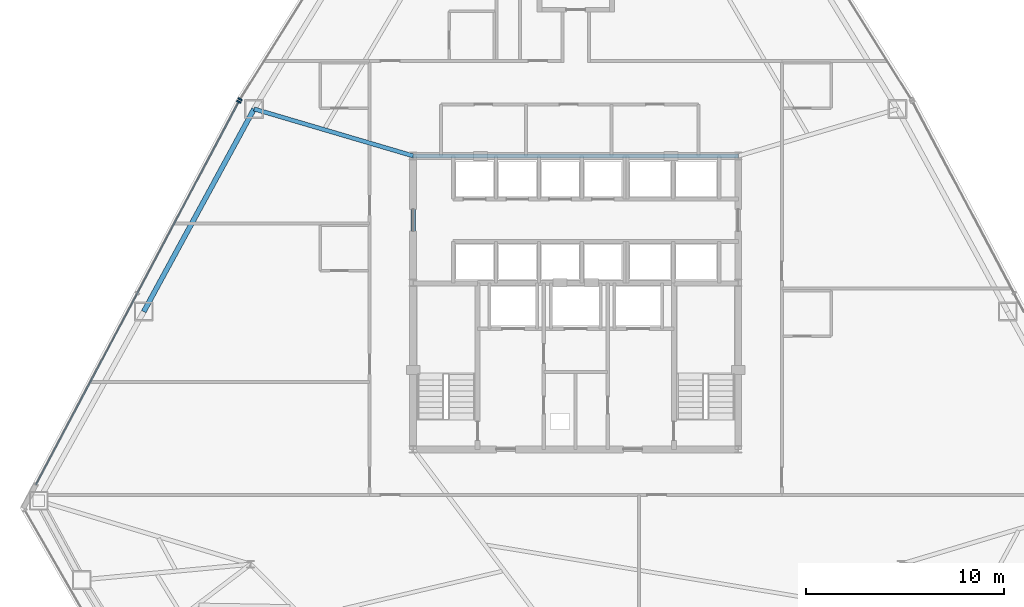
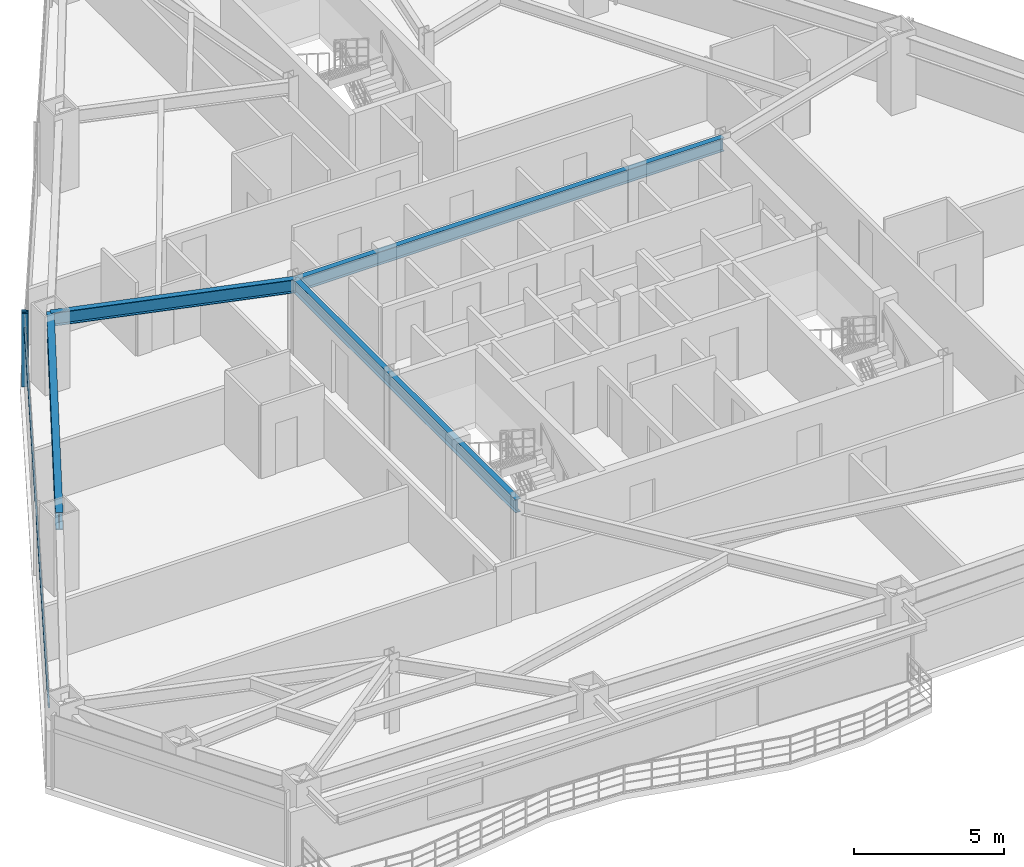
# One storey, part 5 of 13: 4 beams, 3 members, 2 elements without a shape of their own.
"""IFC4 building model written with IfcOpenShell, lengths in metres."""

import ifcopenshell
import ifcopenshell.guid

model = None  # the IFC model being written
_history = None  # IfcOwnerHistory: only IFC2X3 demands one
_inside = {}  # id of a spatial element -> (the spatial element, [elements in it])
_under = {}  # id of a project, library or spatial element -> (it, [spatial elements below it])
_declared = {}  # id of a project -> (the project, [libraries it declares])
_typed = {}  # id of a type object -> (the type object, [elements of that type])
_made_of = {}  # id of a material, layer set ... -> (it, [elements and type objects made of it])


def new_model(schema):
    """Start an empty IFC model of exactly this schema.

    Asked for "IFC4X3", IfcOpenShell would pick the latest addendum, in which some entities
    have other attributes; the version numbers below select the first issue.
    IFC2X3 requires an IfcOwnerHistory on every rooted entity: one is made here for all.
    """
    global model, _history
    if schema == "IFC4X3":
        model = ifcopenshell.file(schema_version=(4, 3, 0, 0))
    else:
        model = ifcopenshell.file(schema=schema)
    _inside.clear()
    _under.clear()
    _declared.clear()
    _typed.clear()
    _made_of.clear()
    _history = None
    if model.schema == "IFC2X3":
        org = make("IfcOrganization", Name="unknown")
        user = make(
            "IfcPersonAndOrganization",
            ThePerson=make("IfcPerson", FamilyName="unknown"),
            TheOrganization=org,
        )
        app = make(
            "IfcApplication",
            ApplicationDeveloper=org,
            Version="unknown",
            ApplicationFullName="unknown",
            ApplicationIdentifier="unknown",
        )
        _history = make(
            "IfcOwnerHistory",
            OwningUser=user,
            OwningApplication=app,
            ChangeAction="ADDED",
            CreationDate=0,
        )
    return model


def make(cls, **values):
    """One entity of the class cls with the attributes given. An attribute that is None is left unset."""
    return model.create_entity(
        cls, **{name: value for name, value in values.items() if value is not None}
    )


def rooted(cls, **values):
    """An entity with a GlobalId (a new one), such as an element, a storey or a relation."""
    return make(cls, GlobalId=ifcopenshell.guid.new(), OwnerHistory=_history, **values)


def si_unit(unit_type, name, prefix=None):
    """IfcSIUnit, for example si_unit("LENGTHUNIT", "METRE", prefix="MILLI")."""
    return make("IfcSIUnit", UnitType=unit_type, Prefix=prefix, Name=name)


def assignment(units):
    """IfcUnitAssignment: the units of a project."""
    return None if units is None else make("IfcUnitAssignment", Units=units)


def point(xyz):
    """IfcCartesianPoint."""
    return None if xyz is None else make("IfcCartesianPoint", Coordinates=xyz)


def direction(xyz):
    """IfcDirection."""
    return None if xyz is None else make("IfcDirection", DirectionRatios=xyz)


def frame(location, z_axis=None, x_axis=None):
    """IfcAxis2Placement3D, a coordinate frame: its origin and axes. An axis left out is left unset."""
    return make(
        "IfcAxis2Placement3D",
        Location=point(location),
        Axis=direction(z_axis),
        RefDirection=direction(x_axis),
    )


def frame_2d(location, x_axis=None):
    """IfcAxis2Placement2D, a coordinate frame in the plane: its origin and x axis."""
    return make(
        "IfcAxis2Placement2D", Location=point(location), RefDirection=direction(x_axis)
    )


def origin():
    """The frame at (0, 0, 0) with its axes left unset."""
    return frame((0.0, 0.0, 0.0))


def origin_2d():
    """The frame at (0, 0) in the plane with its x axis left unset."""
    return frame_2d((0.0, 0.0))


def place(relative_to, where):
    """IfcLocalPlacement: puts the frame where relative to a parent placement (None: the world)."""
    return make(
        "IfcLocalPlacement", PlacementRelTo=relative_to, RelativePlacement=where
    )


def context(
    kind, dimensions, precision=None, world=None, true_north=None, identifier=None
):
    """IfcGeometricRepresentationContext, for example the 3D "Model" context."""
    return make(
        "IfcGeometricRepresentationContext",
        ContextIdentifier=identifier,
        ContextType=kind,
        CoordinateSpaceDimension=dimensions,
        Precision=precision,
        WorldCoordinateSystem=world,
        TrueNorth=true_north,
    )


def subcontext(parent, identifier, kind, view, scale=None):
    """IfcGeometricRepresentationSubContext, for example "Body" below "Model"."""
    return make(
        "IfcGeometricRepresentationSubContext",
        ContextIdentifier=identifier,
        ContextType=kind,
        ParentContext=parent,
        TargetScale=scale,
        TargetView=view,
    )


def project(units=None, contexts=None):
    """IfcProject with its units and contexts."""
    return rooted(
        "IfcProject",
        Name="project",
        RepresentationContexts=contexts,
        UnitsInContext=assignment(units),
    )


def spatial(cls, under=None, at=None, **own):
    """A site, building, storey or space (cls), placed at a placement, below another one or the project."""
    s = rooted(cls, ObjectPlacement=at, **own)
    if under is not None:
        _under.setdefault(under.id(), (under, []))[1].append(s)
    return s


def profile(cls, at=None, kind="AREA", **sizes):
    """A parametric profile (cls). Its sizes go by their IFC names, for example OverallWidth=200.0."""
    return make(cls, ProfileType=kind, Position=at, **sizes)


def rectangle(**sizes):
    """IfcRectangleProfileDef."""
    return profile("IfcRectangleProfileDef", **sizes)


def i_section(**sizes):
    """IfcIShapeProfileDef."""
    return profile("IfcIShapeProfileDef", **sizes)


def extrude(swept, where, along, depth):
    """IfcExtrudedAreaSolid: the profile swept, set in the frame where, extruded along a direction by depth."""
    return make(
        "IfcExtrudedAreaSolid",
        SweptArea=swept,
        Position=where,
        ExtrudedDirection=direction(along),
        Depth=depth,
    )


def shape(context_of_items, identifier, shape_type, items):
    """IfcShapeRepresentation: the items that make up one representation, for example the "Body"."""
    return make(
        "IfcShapeRepresentation",
        ContextOfItems=context_of_items,
        RepresentationIdentifier=identifier,
        RepresentationType=shape_type,
        Items=items,
    )


def source(mapping_origin, context_of_items, identifier, shape_type, items):
    """IfcRepresentationMap: a shape defined once, which mapped items show again and again."""
    return make(
        "IfcRepresentationMap",
        MappingOrigin=mapping_origin,
        MappedRepresentation=shape(context_of_items, identifier, shape_type, items),
    )


def transform(
    local_origin,
    x_axis=None,
    y_axis=None,
    z_axis=None,
    scale=None,
    scale2=None,
    scale3=None,
    uniform=True,
):
    """IfcCartesianTransformationOperator3D, or its non-uniform kind. x_axis, y_axis, z_axis: its Axis1, 2, 3."""
    if uniform:
        return make(
            "IfcCartesianTransformationOperator3D",
            Axis1=direction(x_axis),
            Axis2=direction(y_axis),
            LocalOrigin=point(local_origin),
            Scale=scale,
            Axis3=direction(z_axis),
        )
    return make(
        "IfcCartesianTransformationOperator3DnonUniform",
        Axis1=direction(x_axis),
        Axis2=direction(y_axis),
        LocalOrigin=point(local_origin),
        Scale=scale,
        Axis3=direction(z_axis),
        Scale2=scale2,
        Scale3=scale3,
    )


def mapped(mapping_source, mapping_target):
    """IfcMappedItem: shows the shape of a source again, moved by a transform."""
    return make(
        "IfcMappedItem", MappingSource=mapping_source, MappingTarget=mapping_target
    )


def material(Name=None, Category=None):
    """IfcMaterial."""
    return make("IfcMaterial", Name=Name, Category=Category)


def layer(
    of_material, thickness, ventilated=None, Name=None, Category=None, Priority=None
):
    """IfcMaterialLayer: one layer of a wall or slab, of a material (None: an air gap)."""
    return make(
        "IfcMaterialLayer",
        Material=of_material,
        LayerThickness=thickness,
        IsVentilated=ventilated,
        Name=Name,
        Category=Category,
        Priority=Priority,
    )


def layer_set(layers, Name=None):
    """IfcMaterialLayerSet."""
    return make("IfcMaterialLayerSet", MaterialLayers=layers, LayerSetName=Name)


def material_profile(
    of_material, cross_section, Name=None, Category=None, Priority=None
):
    """IfcMaterialProfile: a cross section and its material."""
    return make(
        "IfcMaterialProfile",
        Name=Name,
        Material=of_material,
        Profile=cross_section,
        Priority=Priority,
        Category=Category,
    )


def profile_set(profiles, Name=None, composite=None):
    """IfcMaterialProfileSet."""
    return make(
        "IfcMaterialProfileSet",
        Name=Name,
        MaterialProfiles=profiles,
        CompositeProfile=composite,
    )


def made_of(thing, what):
    """Note that an element or type object is made of a material, layer set ...; save() writes the relation."""
    if what is not None:
        _made_of.setdefault(what.id(), (what, []))[1].append(thing)
    return thing


def type_object(cls, material=None, **own):
    """A type object (cls), such as IfcWallType, which elements share."""
    return made_of(rooted(cls, **own), material)


def type_shapes(of_type, sources):
    """Give a type object the sources (RepresentationMaps) that its elements show as mapped items."""
    of_type.RepresentationMaps = sources


def element(
    cls,
    number,
    at=None,
    inside=None,
    cuts=None,
    type_object=None,
    material=None,
    context=None,
    identifier="Body",
    shape_type=None,
    held_by="IfcProductDefinitionShape",
    body=None,
    shapes=None,
    **own,
):
    """One element of the class cls, such as IfcWall. Its Tag is "e" and its number.

    at: its placement. inside: the storey or other place that contains it. cuts: it is an
    opening in that element (IfcRelVoidsElement). A single representation is given by context,
    identifier, shape_type and body (its items); several are given by shapes. held_by: the class
    of the entity that holds the representations. save() writes the other relations.
    """
    e = rooted(cls, Tag="e%d" % number, ObjectPlacement=at, **own)
    if body is not None:
        shapes = [shape(context, identifier, shape_type, body)]
    if shapes is not None:
        e.Representation = make(held_by, Representations=shapes)
    if inside is not None:
        _inside.setdefault(inside.id(), (inside, []))[1].append(e)
    if cuts is not None:
        rooted(
            "IfcRelVoidsElement", RelatingBuildingElement=cuts, RelatedOpeningElement=e
        )
    if type_object is not None:
        _typed.setdefault(type_object.id(), (type_object, []))[1].append(e)
    return made_of(e, material)


def aggregate(whole, parts):
    """IfcRelAggregates: a whole, such as a stair, and the parts it consists of."""
    return rooted("IfcRelAggregates", RelatingObject=whole, RelatedObjects=parts)


def save(model, path):
    """Write the relations noted so far, then the file.

    IfcRelAggregates (storeys below a building ...), IfcRelContainedInSpatialStructure (elements
    in a storey), IfcRelDefinesByType, IfcRelAssociatesMaterial and IfcRelDeclares: one each for
    every whole, place, type object, material and project.
    """
    for whole, parts in _under.values():
        aggregate(whole, parts)
    for where, things in _inside.values():
        rooted(
            "IfcRelContainedInSpatialStructure",
            RelatedElements=things,
            RelatingStructure=where,
        )
    for kind, things in _typed.values():
        rooted("IfcRelDefinesByType", RelatedObjects=things, RelatingType=kind)
    for what, things in _made_of.values():
        rooted("IfcRelAssociatesMaterial", RelatedObjects=things, RelatingMaterial=what)
    for by, libraries in _declared.values():
        rooted("IfcRelDeclares", RelatingContext=by, RelatedDefinitions=libraries)
    model.write(path)


model = new_model("IFC4")

# Units and contexts
model_context = context("Model", 3, precision=1e-05, world=origin(), true_north=direction((0.0, 1.0)))
body_context = subcontext(model_context, "Body", "Model", "MODEL_VIEW")
ifc_project = project(units=[si_unit("LENGTHUNIT", "METRE"), si_unit("AREAUNIT", "SQUARE_METRE"), si_unit("VOLUMEUNIT", "CUBIC_METRE"), si_unit("PLANEANGLEUNIT", "RADIAN"), si_unit("MASSUNIT", "GRAM", prefix="KILO")], contexts=[model_context])

# Site, building, storey
site_placement = place(None, origin())
site = spatial("IfcSite", under=ifc_project, at=site_placement, CompositionType="ELEMENT")
building_placement = place(site_placement, origin())
building = spatial("IfcBuilding", under=site, at=building_placement, Name="Varakhsha Concourse Tower", CompositionType="ELEMENT")
storey_placement = place(building_placement, frame((0.0, 0.0, 95.800048828125)))
storey = spatial("IfcBuildingStorey", under=building, at=storey_placement, Name="L27", CompositionType="ELEMENT", Elevation=95.800048828125)

# Beams
ifc_material_1 = material(Name="Structural Steel ASTM A992 Grade 50", Category="steel")
ifc_material_profile_1 = material_profile(ifc_material_1, i_section(OverallWidth=0.2109375, OverallDepth=0.5390625, WebThickness=0.011962890625, FlangeThickness=0.01904296875, at=origin_2d()), Name="W21X73")
ifc_profile_set_1 = profile_set([ifc_material_profile_1], Name="Structural Steel ASTM A992 Grade 50")
beam_type_1 = type_object("IfcBeamType", Name="BM-RAD-W21X73", PredefinedType="BEAM", material=ifc_profile_set_1)
beam_1_placement = place(storey_placement, frame((31.800048828125, 31.199951171875, 2.700439453125), z_axis=(1.0, 0.0, 0.0), x_axis=(0.0, 1.0, 0.0)))
element("IfcBeam", 1, at=beam_1_placement, inside=storey, type_object=beam_type_1, Name="BM-TCORE-L27-CN", PredefinedType="BEAM", context=body_context, shape_type="SweptSolid", body=[
    extrude(i_section(OverallWidth=0.2109375, OverallDepth=0.5390625, WebThickness=0.011962890625, FlangeThickness=0.01904296875, at=origin_2d()), origin(), (0.0, 0.0, 1.0), 16.39990234375),
])
beam_2_placement = place(storey_placement, frame((31.800048828125, 16.39990234375, 2.700439453125), z_axis=(0.0, 1.0, 0.0), x_axis=(-1.0, 0.0, 0.0)))
element("IfcBeam", 2, at=beam_2_placement, inside=storey, type_object=beam_type_1, Name="BM-TCORE-L27-CW", PredefinedType="BEAM", context=body_context, shape_type="SweptSolid", body=[
    extrude(i_section(OverallWidth=0.2109375, OverallDepth=0.5390625, WebThickness=0.011962890625, FlangeThickness=0.01904296875, at=origin_2d()), origin(), (0.0, 0.0, 1.0), 14.800048828125),
])
beam_3_placement = place(storey_placement, frame((31.800048828125, 31.199951171875, 2.700439453125), z_axis=(-0.959108264711, 0.283039461143, 0.0), x_axis=(-0.283039461143, -0.959108264711, 0.0)))
element("IfcBeam", 3, at=beam_3_placement, inside=storey, type_object=beam_type_1, Name="L27 Radial Floor Girder 05", PredefinedType="BEAM", context=body_context, shape_type="SweptSolid", body=[
    extrude(i_section(OverallWidth=0.2109375, OverallDepth=0.5390625, WebThickness=0.011962890625, FlangeThickness=0.01904296875, at=origin_2d()), origin(), (0.0, 0.0, 1.0), 8.370361328125),
])
ifc_material_profile_2 = material_profile(ifc_material_1, i_section(OverallWidth=0.25390625, OverallDepth=0.701904296875, WebThickness=0.014892578125, FlangeThickness=0.028076171875, at=origin_2d()), Name="W27X129")
ifc_profile_set_2 = profile_set([ifc_material_profile_2], Name="Structural Steel ASTM A992 Grade 50")
beam_type_2 = type_object("IfcBeamType", Name="BM-SPAN-W27X129", PredefinedType="SPANDREL", material=ifc_profile_set_2)
beam_4_placement = place(storey_placement, frame((23.77197265625, 33.569091796875, 2.618896484375), z_axis=(-0.478070108108, -0.878321678962, 0.0), x_axis=(0.878321678962, -0.478070108108, 0.0)))
element("IfcBeam", 4, at=beam_4_placement, inside=storey, type_object=beam_type_2, Name="BM-SPAN-L27-05", PredefinedType="SPANDREL", context=body_context, shape_type="SweptSolid", body=[
    extrude(i_section(OverallWidth=0.25390625, OverallDepth=0.701904296875, WebThickness=0.014892578125, FlangeThickness=0.028076171875, at=origin_2d()), origin(), (0.0, 0.0, 1.0), 11.639404296875),
])

# Curtain wall, member
ifc_material_2 = material(Name="Anodised Bronze Architectural Aluminium AA 6063-T6", Category="aluminium")
ifc_layer = layer(ifc_material_2, 0.199951171875, Name="CW-SYS-03")
ifc_layer_set = layer_set([ifc_layer], Name="Anodised Bronze Architectural Aluminium AA 6063-T6")
curtain_wall_type = type_object("IfcCurtainWallType", Name="CW-SYS-03", PredefinedType="NOTDEFINED", material=ifc_layer_set)
curtain_wall_1_placement = place(storey_placement, origin())
curtain_wall_1 = element("IfcCurtainWall", 5, at=curtain_wall_1_placement, inside=storey, type_object=curtain_wall_type, Name="L27 Crystal Curtain Wall F2", PredefinedType="NOTDEFINED")
ifc_material_profile_3 = material_profile(ifc_material_2, rectangle(XDim=0.074951171875, YDim=0.219970703125, at=origin_2d()), Name="CWM-220X75")
ifc_profile_set_3 = profile_set([ifc_material_profile_3], Name="Anodised Bronze Architectural Aluminium AA 6063-T6")
member_type_1 = type_object("IfcMemberType", Name="CWM-220X75", PredefinedType="MULLION", material=ifc_profile_set_3)
shared_shape_1 = source(origin(), body_context, "Body", "SweptSolid", [
    extrude(rectangle(XDim=0.074951171875, YDim=0.219970703125, at=origin_2d()), origin(), (0.0, 0.0, 1.0), 2.969970703125),
])
type_shapes(member_type_1, [shared_shape_1])
member_1_placement = place(storey_placement, frame((23.07373046875, 34.05810546875, 0.0), z_axis=(0.0, 0.0, 1.0), x_axis=(0.531209317405, 0.847240615824, 0.0)))
member_1 = element("IfcMember", 6, at=member_1_placement, type_object=member_type_1, Name="CW-L27-F2 Mullion 00", PredefinedType="MULLION", context=body_context, shape_type="MappedRepresentation", body=[
    mapped(shared_shape_1, transform((0.0, 0.0, 0.0), scale=1.0)),
])
aggregate(curtain_wall_1, [member_1])

# Curtain wall, members
curtain_wall_2_placement = place(storey_placement, origin())
curtain_wall_2 = element("IfcCurtainWall", 7, at=curtain_wall_2_placement, inside=storey, type_object=curtain_wall_type, Name="L27 Crystal Curtain Wall F3", PredefinedType="NOTDEFINED")
member_2_placement = place(storey_placement, frame((22.99951171875, 33.9296875, 0.0), z_axis=(0.0, 0.0, 1.0), x_axis=(0.468124153157, 0.883662705579, 0.0)))
member_2 = element("IfcMember", 8, at=member_2_placement, type_object=member_type_1, Name="CW-L27-F3 Mullion 02", PredefinedType="MULLION", context=body_context, shape_type="MappedRepresentation", body=[
    mapped(shared_shape_1, transform((0.0, 0.0, 0.0), scale=1.0)),
])
ifc_material_profile_4 = material_profile(ifc_material_2, rectangle(XDim=0.06494140625, YDim=0.159912109375, at=origin_2d()), Name="CWT-160X65")
ifc_profile_set_4 = profile_set([ifc_material_profile_4], Name="Anodised Bronze Architectural Aluminium AA 6063-T6")
member_type_2 = type_object("IfcMemberType", Name="CWT-160X65", PredefinedType="USERDEFINED", material=ifc_profile_set_4)
shared_shape_2 = source(origin(), body_context, "Body", "SweptSolid", [
    extrude(rectangle(XDim=0.06494140625, YDim=0.159912109375, at=origin_2d()), origin(), (0.0, 0.0, 1.0), 21.85107421875),
])
type_shapes(member_type_2, [shared_shape_2])
member_3_placement = place(storey_placement, frame((12.7705078125, 14.62060546875, 2.320068359375), z_axis=(0.468121791174, 0.883663956846, 0.0), x_axis=(-0.883663956846, 0.468121791174, 0.0)))
member_3 = element("IfcMember", 9, at=member_3_placement, type_object=member_type_2, Name="CW-L27-F3 Transom 01", ObjectType="TRANSOM", PredefinedType="USERDEFINED", context=body_context, shape_type="MappedRepresentation", body=[
    mapped(shared_shape_2, transform((0.0, 0.0, 0.0), scale=1.0)),
])
aggregate(curtain_wall_2, [member_2, member_3])

save(model, "model.ifc")
